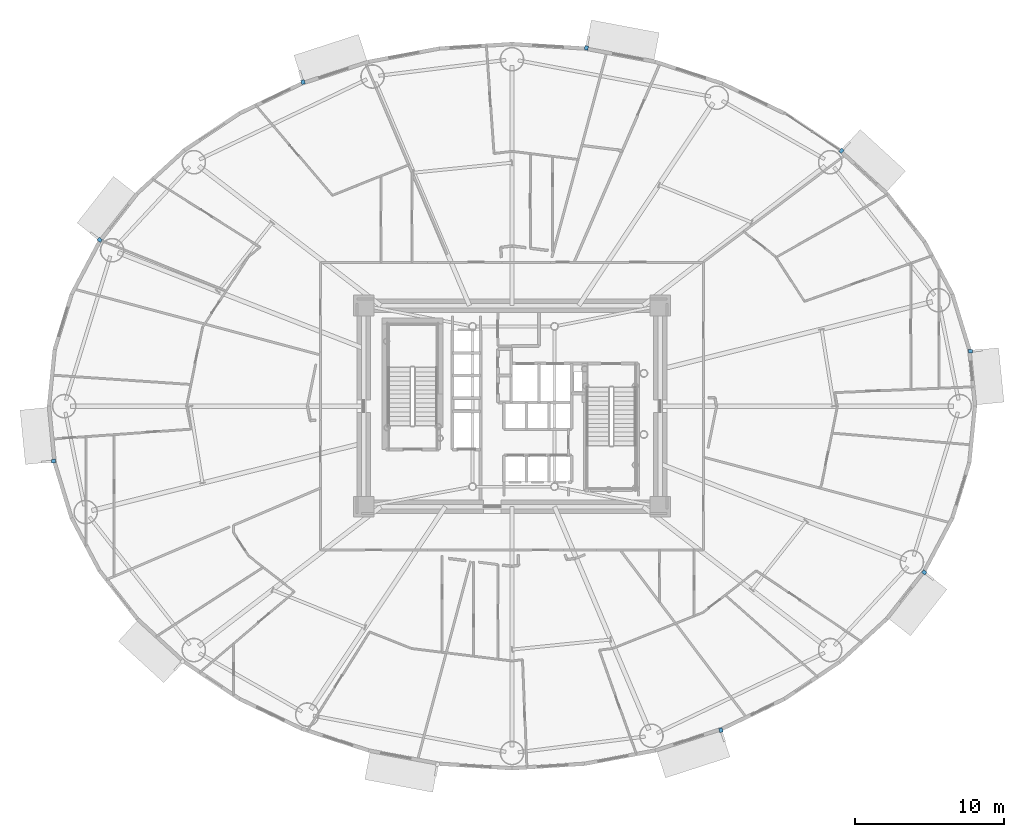
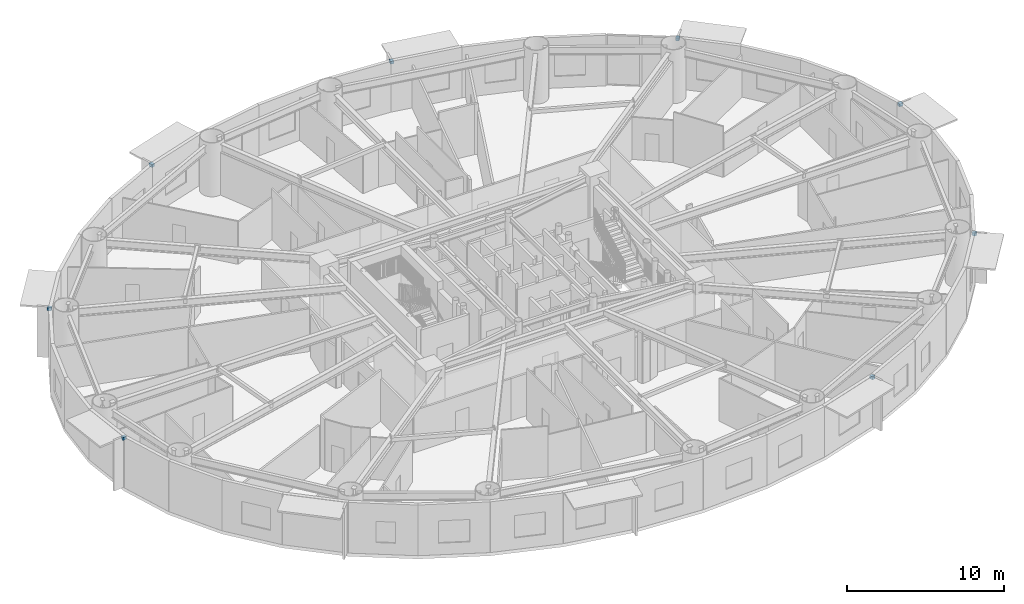
# One storey, part 17 of 24: 8 discrete accessories.
"""IFC4 building model written with IfcOpenShell, lengths in metres."""

from ifc_helpers import new_model, si_unit, direction, frame, origin, origin_2d, place, context, subcontext, project, spatial, rectangle, extrude, source, transform, mapped, material, type_object, element, save


model = new_model("IFC4")

# Units and contexts
model_context = context("Model", 3, precision=1e-05, world=origin(), true_north=direction((0.0, 1.0)))
body_context = subcontext(model_context, "Body", "Model", "MODEL_VIEW")
ifc_project = project(units=[si_unit("LENGTHUNIT", "METRE"), si_unit("AREAUNIT", "SQUARE_METRE"), si_unit("VOLUMEUNIT", "CUBIC_METRE"), si_unit("PLANEANGLEUNIT", "RADIAN"), si_unit("MASSUNIT", "GRAM", prefix="KILO")], contexts=[model_context])

# Site, building, storey
site_placement = place(None, origin())
site = spatial("IfcSite", under=ifc_project, at=site_placement, CompositionType="ELEMENT")
building_placement = place(site_placement, origin())
building = spatial("IfcBuilding", under=site, at=building_placement, Name="Linh Dai School and Residence Tower", CompositionType="ELEMENT")
storey_placement = place(building_placement, frame((0.0, 0.0, 74.39990234375)))
storey = spatial("IfcBuildingStorey", under=building, at=storey_placement, Name="L17", CompositionType="ELEMENT", Elevation=74.39990234375)

# Discrete accessories
ifc_material = material(Name="Structural Steel S355JR", Category="steel")
discrete_accessory_type = type_object("IfcDiscreteAccessoryType", Name="ACC-BRK-S355", PredefinedType="BRACKET", material=ifc_material)
shared_shape = source(origin(), body_context, "Body", "SweptSolid", [
    extrude(rectangle(XDim=0.280029296875, YDim=0.239990234375, at=origin_2d()), origin(), (0.0, 0.0, 1.0), 0.219970703125),
])
for number, where, z_axis, x_axis, name in (
    (1, (66.76513671875, 30.68359375, 3.7001953125), (0.0, 0.0, 1.0), (0.994986493533, 0.100009387998, 0.0), "L17 Facade Frame Anchor Bracket 01"),
    (2, (58.11376953125, 44.139404296875, 3.7001953125), (0.0, 0.0, 1.0), (0.675769237268, 0.737113246362, 0.0), "L17 Facade Frame Anchor Bracket 05"),
    (3, (40.994384765625, 51.0419921875, 3.7001953125), (0.0, 0.0, 1.0), (0.184747948944, 0.982785935675, 0.0), "L17 Facade Frame Anchor Bracket 09"),
    (4, (21.9775390625, 48.745361328125, 3.7001953125), (0.0, 0.0, 1.0), (-0.308510993844, 0.951220777043, 0.0), "L17 Facade Frame Anchor Bracket 13"),
    (5, (8.33203125, 38.154296875, 3.7001953125), (0.0, 0.0, 1.0), (-0.787496262172, 0.616319427785, 0.0), "L17 Facade Frame Anchor Bracket 17"),
    (6, (5.23486328125, 23.31640625, 3.7001953125), (0.0, 0.0, 1.0), (-0.994986493533, -0.100009387998, 0.0), "L17 Facade Frame Anchor Bracket 21"),
    (7, (50.0224609375, 5.254638671875, 3.7001953125), (0.0, 0.0, 1.0), (0.308510993844, -0.951220777043, 0.0), "L17 Facade Frame Anchor Bracket 33"),
    (8, (63.66796875, 15.845703125, 3.7001953125), (0.0, 0.0, 1.0), (0.787496262172, -0.616319427785, 0.0), "L17 Facade Frame Anchor Bracket 37"),
):
    element("IfcDiscreteAccessory", number, at=place(storey_placement, frame(where, z_axis=z_axis, x_axis=x_axis)), inside=storey, type_object=discrete_accessory_type, Name=name, PredefinedType="BRACKET", context=body_context, shape_type="MappedRepresentation", body=[
        mapped(shared_shape, transform((0.0, 0.0, 0.0), x_axis=(1.0, 0.0, 0.0), y_axis=(0.0, 1.0, 0.0), z_axis=(0.0, 0.0, 1.0), scale=1.0)),
    ])

save(model, "model.ifc")
